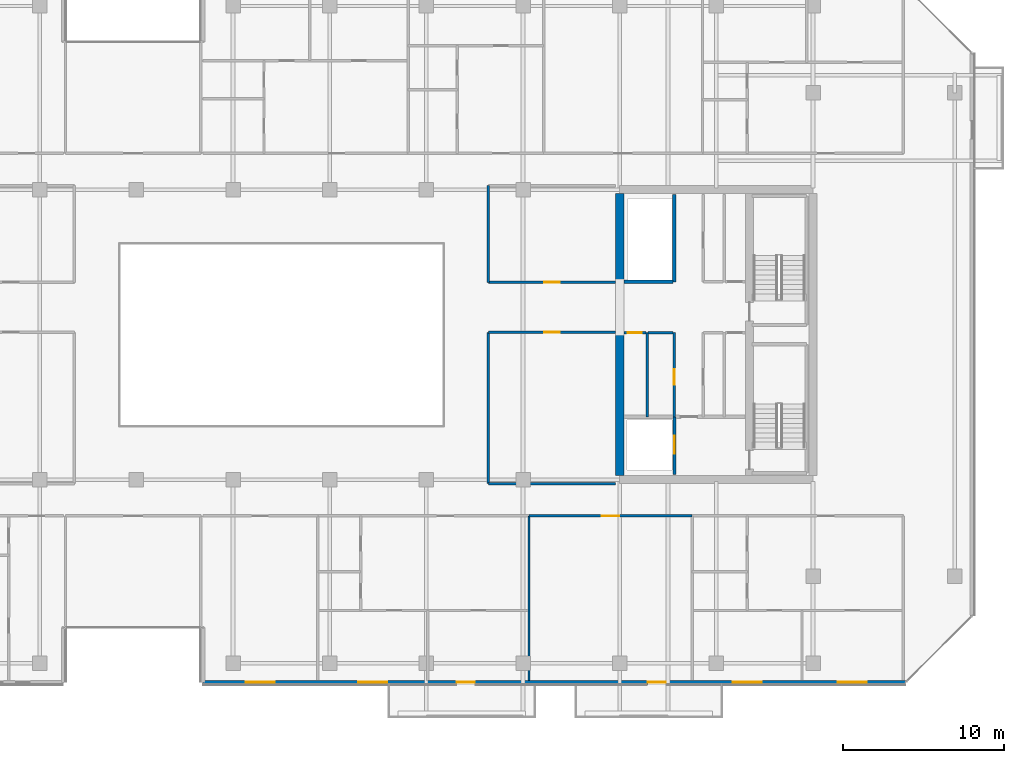
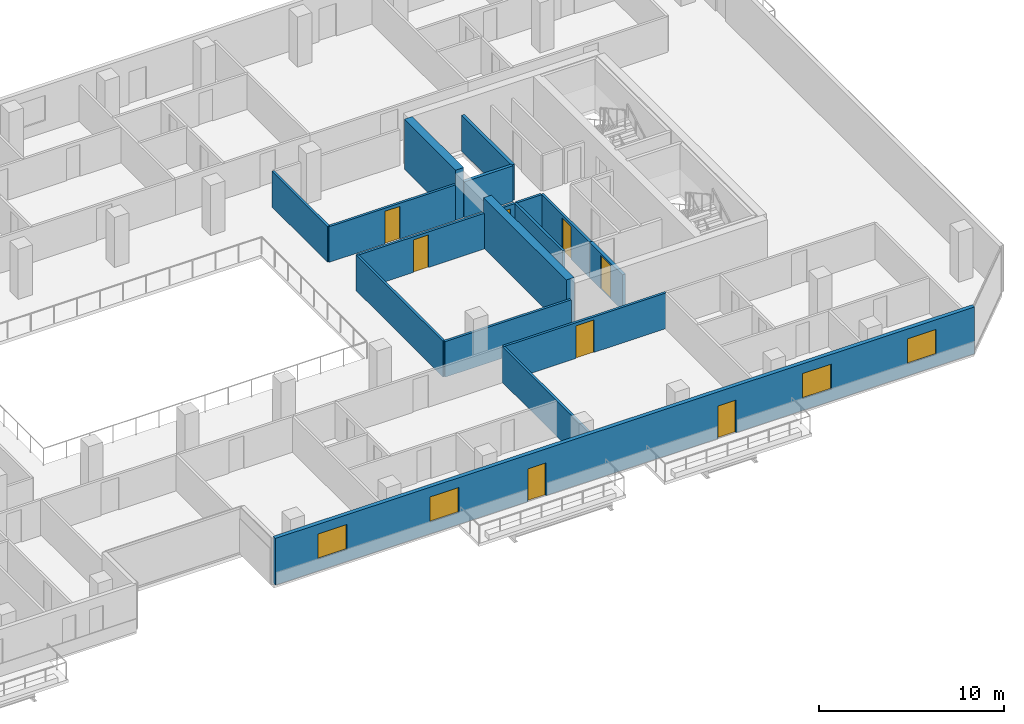
# One storey, part 21 of 29: 17 walls, 8 doors, 4 windows, 12 openings.
"""IFC4 building model written with IfcOpenShell, lengths in metres."""

from ifc_helpers import new_model, si_unit, direction, frame, frame_2d, origin, place, context, subcontext, project, spatial, rectangle, extrude, material, layer, layer_set, type_object, element, fill, save


model = new_model("IFC4")

# Units and contexts
model_context = context("Model", 3, precision=1e-05, world=origin(), true_north=direction((0.0, 1.0)))
body_context = subcontext(model_context, "Body", "Model", "MODEL_VIEW")
ifc_project = project(units=[si_unit("LENGTHUNIT", "METRE"), si_unit("AREAUNIT", "SQUARE_METRE"), si_unit("VOLUMEUNIT", "CUBIC_METRE"), si_unit("PLANEANGLEUNIT", "RADIAN"), si_unit("MASSUNIT", "GRAM", prefix="KILO")], contexts=[model_context])

# Site, building, storey
site_placement = place(None, origin())
site = spatial("IfcSite", under=ifc_project, at=site_placement, CompositionType="ELEMENT")
building_placement = place(site_placement, origin())
building = spatial("IfcBuilding", under=site, at=building_placement, Name="Tanjung Sevakor Pilgrim Tower", CompositionType="ELEMENT")
storey_placement = place(building_placement, frame((0.0, 0.0, 151.800048828125)))
storey = spatial("IfcBuildingStorey", under=building, at=storey_placement, Name="L42", CompositionType="ELEMENT", Elevation=151.800048828125)

# Walls
ifc_material_1 = material(Name="Concrete C60/75", Category="concrete")
ifc_layer_1 = layer(ifc_material_1, 0.5)
ifc_layer_set_1 = layer_set([ifc_layer_1], Name="WALL-CW-500")
wall_type_1 = type_object("IfcWallType", Name="WALL-CW-500", PredefinedType="SHEAR", material=ifc_layer_set_1)
wall_1_placement = place(storey_placement, frame((78.0, 24.85009765625, 0.0), z_axis=(0.0, 0.0, 1.0), x_axis=(0.0, 1.0, 0.0)))
element("IfcWall", 1, at=wall_1_placement, inside=storey, type_object=wall_type_1, Name="L42 E Core Inner Shear Wall South", PredefinedType="SHEAR", context=body_context, shape_type="SweptSolid", body=[
    extrude(rectangle(XDim=8.949951171875, YDim=0.5, at=frame_2d((4.47509765625, 0.0))), origin(), (0.0, 0.0, 1.0), 3.300048828125),
])
wall_2_placement = place(storey_placement, frame((78.0, 36.800048828125, 0.0), z_axis=(0.0, 0.0, 1.0), x_axis=(0.0, 1.0, 0.0)))
element("IfcWall", 2, at=wall_2_placement, inside=storey, type_object=wall_type_1, Name="L42 E Core Inner Shear Wall North", PredefinedType="SHEAR", context=body_context, shape_type="SweptSolid", body=[
    extrude(rectangle(XDim=5.550048828125, YDim=0.5, at=frame_2d((2.77490234375, 0.0))), origin(), (0.0, 0.0, 1.0), 3.300048828125),
])
ifc_material_2 = material(Name="Concrete C40/50", Category="concrete")
ifc_layer_2 = layer(ifc_material_2, 0.14990234375)
ifc_layer_set_2 = layer_set([ifc_layer_2], Name="WT-COMP-150")
wall_type_2 = type_object("IfcWallType", Name="WT-COMP-150", PredefinedType="SOLIDWALL", material=ifc_layer_set_2)
wall_3_placement = place(storey_placement, frame((79.699951171875, 28.5, 0.0), z_axis=(0.0, 0.0, 1.0), x_axis=(0.0, 1.0, 0.0)))
element("IfcWall", 3, at=wall_3_placement, inside=storey, type_object=wall_type_2, Name="L42 Partition IW-L42-023", PredefinedType="SOLIDWALL", context=body_context, shape_type="SweptSolid", body=[
    extrude(rectangle(XDim=5.219970703125, YDim=0.14990234375, at=frame_2d((2.60986328125, 0.0))), origin(), (0.0, 0.0, 1.0), 2.35009765625),
])
wall_4_placement = place(storey_placement, frame((79.760009765625, 33.719970703125, 0.0), z_axis=(0.0, 0.0, 1.0), x_axis=(1.0, 0.0, 0.0)))
element("IfcWall", 4, at=wall_4_placement, inside=storey, type_object=wall_type_2, Name="L42 Partition IW-L42-024", PredefinedType="SOLIDWALL", context=body_context, shape_type="SweptSolid", body=[
    extrude(rectangle(XDim=1.56005859375, YDim=0.14990234375, at=frame_2d((0.780029296875, 0.0))), origin(), (0.0, 0.0, 1.0), 2.35009765625),
])

# Wall, opening, door
wall_5_placement = place(storey_placement, frame((78.27001953125, 33.719970703125, 0.0), z_axis=(0.0, 0.0, 1.0), x_axis=(1.0, 0.0, 0.0)))
wall_5 = element("IfcWall", 5, at=wall_5_placement, inside=storey, type_object=wall_type_2, Name="L42 Partition IW-L42-025", PredefinedType="SOLIDWALL", context=body_context, shape_type="SweptSolid", body=[
    extrude(rectangle(XDim=1.369873046875, YDim=0.14990234375, at=frame_2d((0.68505859375, 0.0))), origin(), (0.0, 0.0, 1.0), 2.35009765625),
])
opening_1_placement = place(wall_5_placement, frame((0.239990234375, 0.0, 0.0)))
opening_1 = element("IfcOpeningElement", 6, at=opening_1_placement, cuts=wall_5, Name="Opening ID-FD3", PredefinedType="OPENING", context=body_context, shape_type="SweptSolid", body=[
    extrude(rectangle(XDim=0.85009765625, YDim=2.10009765625, at=frame_2d((0.425048828125, 1.050048828125))), frame((0.0, 0.0849609375, 0.0), z_axis=(0.0, -1.0, 0.0), x_axis=(1.0, 0.0, 0.0)), (0.0, 0.0, 1.0), 0.169921875),
])
ifc_material_3 = material(Name="Fire-Rated Timber", Category="wood")
door_type_1 = type_object("IfcDoorType", Name="DT-FIRE-850", OperationType="NOTDEFINED", PredefinedType="DOOR", material=ifc_material_3)
door_1_placement = place(opening_1_placement, origin())
door_1 = element("IfcDoor", 7, at=door_1_placement, inside=storey, type_object=door_type_1, Name="L42 Service Store Door", OperationType="SINGLE_SWING_LEFT", OverallHeight=2.10009765625, OverallWidth=0.85009765625, PredefinedType="DOOR", context=body_context, shape_type="SweptSolid", body=[
    extrude(rectangle(XDim=0.85009765625, YDim=2.10009765625, at=frame_2d((0.425048828125, 1.050048828125))), frame((0.0, 0.02490234375, 0.0), z_axis=(0.0, -1.0, 0.0), x_axis=(1.0, 0.0, 0.0)), (0.0, 0.0, 1.0), 0.050048828125),
])
fill(opening_1, door_1)

wall_6_placement = place(storey_placement, frame((81.3798828125, 28.5, 0.0), z_axis=(0.0, 0.0, 1.0), x_axis=(0.0, 1.0, 0.0)))
wall_6 = element("IfcWall", 8, at=wall_6_placement, inside=storey, type_object=wall_type_2, Name="L42 Partition IW-L42-026", PredefinedType="SOLIDWALL", context=body_context, shape_type="SweptSolid", body=[
    extrude(rectangle(XDim=5.219970703125, YDim=0.14990234375, at=frame_2d((2.60986328125, 0.0))), origin(), (0.0, 0.0, 1.0), 2.35009765625),
])
opening_2_placement = place(wall_6_placement, frame((2.0, 0.0, 0.0)))
opening_2 = element("IfcOpeningElement", 9, at=opening_2_placement, cuts=wall_6, Name="Opening ID-FD2", PredefinedType="OPENING", context=body_context, shape_type="SweptSolid", body=[
    extrude(rectangle(XDim=0.949951171875, YDim=2.14990234375, at=frame_2d((0.47509765625, 1.074951171875))), frame((0.0, 0.0849609375, 0.0), z_axis=(0.0, -1.0, 0.0), x_axis=(1.0, 0.0, 0.0)), (0.0, 0.0, 1.0), 0.169921875),
])
ifc_material_4 = material(Name="Fire-Rated Timber", Category="wood")
door_type_2 = type_object("IfcDoorType", Name="DT-FIRE-950", OperationType="NOTDEFINED", PredefinedType="DOOR", material=ifc_material_4)
door_2_placement = place(opening_2_placement, origin())
door_2 = element("IfcDoor", 10, at=door_2_placement, inside=storey, type_object=door_type_2, Name="L42 Accessible WC Door", OperationType="SINGLE_SWING_RIGHT", OverallHeight=2.14990234375, OverallWidth=0.949951171875, PredefinedType="DOOR", context=body_context, shape_type="SweptSolid", body=[
    extrude(rectangle(XDim=0.949951171875, YDim=2.14990234375, at=frame_2d((0.47509765625, 1.074951171875))), frame((0.0, 0.02490234375, 0.0), z_axis=(0.0, -1.0, 0.0), x_axis=(1.0, 0.0, 0.0)), (0.0, 0.0, 1.0), 0.050048828125),
])
fill(opening_2, door_2)

# Wall
wall_7_placement = place(storey_placement, frame((69.85009765625, 24.35009765625, 0.0), z_axis=(0.0, 0.0, 1.0), x_axis=(1.0, 0.0, 0.0)))
element("IfcWall", 11, at=wall_7_placement, inside=storey, type_object=wall_type_2, Name="L42 Partition IW-L42-039", PredefinedType="SOLIDWALL", context=body_context, shape_type="SweptSolid", body=[
    extrude(rectangle(XDim=7.8798828125, YDim=0.14990234375, at=frame_2d((3.93994140625, 0.0))), origin(), (0.0, 0.0, 1.0), 2.35009765625),
])

# Wall, opening, door
wall_8_placement = place(storey_placement, frame((69.85009765625, 33.75, 0.0), z_axis=(0.0, 0.0, 1.0), x_axis=(1.0, 0.0, 0.0)))
wall_8 = element("IfcWall", 12, at=wall_8_placement, inside=storey, type_object=wall_type_2, Name="L42 Partition IW-L42-040", PredefinedType="SOLIDWALL", context=body_context, shape_type="SweptSolid", body=[
    extrude(rectangle(XDim=7.8798828125, YDim=0.14990234375, at=frame_2d((3.93994140625, 0.0))), origin(), (0.0, 0.0, 1.0), 2.35009765625),
])
opening_3_placement = place(wall_8_placement, frame((3.465087890625, 0.0, 0.0)))
opening_3 = element("IfcOpeningElement", 13, at=opening_3_placement, cuts=wall_8, Name="Opening ID-RM1", PredefinedType="OPENING", context=body_context, shape_type="SweptSolid", body=[
    extrude(rectangle(XDim=0.949951171875, YDim=2.14990234375, at=frame_2d((0.47509765625, 1.074951171875))), frame((0.0, 0.0849609375, 0.0), z_axis=(0.0, -1.0, 0.0), x_axis=(1.0, 0.0, 0.0)), (0.0, 0.0, 1.0), 0.169921875),
])
ifc_material_5 = material(Name="Hardwood Timber", Category="wood")
door_type_3 = type_object("IfcDoorType", Name="DT-INT-950", OperationType="NOTDEFINED", PredefinedType="DOOR", material=ifc_material_5)
door_3_placement = place(opening_3_placement, origin())
door_3 = element("IfcDoor", 14, at=door_3_placement, inside=storey, type_object=door_type_3, Name="L42 East Inboard South Door", OperationType="SINGLE_SWING_LEFT", OverallHeight=2.14990234375, OverallWidth=0.949951171875, PredefinedType="DOOR", context=body_context, shape_type="SweptSolid", body=[
    extrude(rectangle(XDim=0.949951171875, YDim=2.14990234375, at=frame_2d((0.47509765625, 1.074951171875))), frame((0.0, 0.02490234375, 0.0), z_axis=(0.0, -1.0, 0.0), x_axis=(1.0, 0.0, 0.0)), (0.0, 0.0, 1.0), 0.050048828125),
])
fill(opening_3, door_3)

# Wall
wall_9_placement = place(storey_placement, frame((69.85009765625, 24.35009765625, 0.0), z_axis=(0.0, 0.0, 1.0), x_axis=(0.0, 1.0, 0.0)))
element("IfcWall", 15, at=wall_9_placement, inside=storey, type_object=wall_type_2, Name="L42 Partition IW-L42-041", PredefinedType="SOLIDWALL", context=body_context, shape_type="SweptSolid", body=[
    extrude(rectangle(XDim=9.39990234375, YDim=0.14990234375, at=frame_2d((4.699951171875, 0.0))), origin(), (0.0, 0.0, 1.0), 2.35009765625),
])

# Wall, opening, door
wall_10_placement = place(storey_placement, frame((69.85009765625, 36.85009765625, 0.0), z_axis=(0.0, 0.0, 1.0), x_axis=(1.0, 0.0, 0.0)))
wall_10 = element("IfcWall", 16, at=wall_10_placement, inside=storey, type_object=wall_type_2, Name="L42 Partition IW-L42-042", PredefinedType="SOLIDWALL", context=body_context, shape_type="SweptSolid", body=[
    extrude(rectangle(XDim=7.8798828125, YDim=0.14990234375, at=frame_2d((3.93994140625, 0.0))), origin(), (0.0, 0.0, 1.0), 2.35009765625),
])
opening_4_placement = place(wall_10_placement, frame((3.465087890625, 0.0, 0.0)))
opening_4 = element("IfcOpeningElement", 17, at=opening_4_placement, cuts=wall_10, Name="Opening ID-RM1", PredefinedType="OPENING", context=body_context, shape_type="SweptSolid", body=[
    extrude(rectangle(XDim=0.949951171875, YDim=2.14990234375, at=frame_2d((0.47509765625, 1.074951171875))), frame((0.0, 0.0849609375, 0.0), z_axis=(0.0, -1.0, 0.0), x_axis=(1.0, 0.0, 0.0)), (0.0, 0.0, 1.0), 0.169921875),
])
door_4_placement = place(opening_4_placement, origin())
door_4 = element("IfcDoor", 18, at=door_4_placement, inside=storey, type_object=door_type_3, Name="L42 East Inboard North Door", OperationType="SINGLE_SWING_RIGHT", OverallHeight=2.14990234375, OverallWidth=0.949951171875, PredefinedType="DOOR", context=body_context, shape_type="SweptSolid", body=[
    extrude(rectangle(XDim=0.949951171875, YDim=2.14990234375, at=frame_2d((0.47509765625, 1.074951171875))), frame((0.0, 0.02490234375, 0.0), z_axis=(0.0, -1.0, 0.0), x_axis=(1.0, 0.0, 0.0)), (0.0, 0.0, 1.0), 0.050048828125),
])
fill(opening_4, door_4)

# Walls
wall_11_placement = place(storey_placement, frame((69.85009765625, 36.85009765625, 0.0), z_axis=(0.0, 0.0, 1.0), x_axis=(0.0, 1.0, 0.0)))
element("IfcWall", 19, at=wall_11_placement, inside=storey, type_object=wall_type_2, Name="L42 Partition IW-L42-044", PredefinedType="SOLIDWALL", context=body_context, shape_type="SweptSolid", body=[
    extrude(rectangle(XDim=6.0, YDim=0.14990234375, at=frame_2d((3.0, 0.0))), origin(), (0.0, 0.0, 1.0), 2.35009765625),
])
wall_12_placement = place(storey_placement, frame((72.37109375, 12.14990234375, 0.0), z_axis=(0.0, 0.0, 1.0), x_axis=(0.0, 1.0, 0.0)))
element("IfcWall", 20, at=wall_12_placement, inside=storey, type_object=wall_type_2, Name="L42 Partition IW-L42-066", PredefinedType="SOLIDWALL", context=body_context, shape_type="SweptSolid", body=[
    extrude(rectangle(XDim=10.2001953125, YDim=0.14990234375, at=frame_2d((5.10009765625, 0.0))), origin(), (0.0, 0.0, 1.0), 2.35009765625),
])

# Wall, opening, door
wall_13_placement = place(storey_placement, frame((72.37109375, 22.35009765625, 0.0), z_axis=(0.0, 0.0, 1.0), x_axis=(1.0, 0.0, 0.0)))
wall_13 = element("IfcWall", 21, at=wall_13_placement, inside=storey, type_object=wall_type_2, Name="L42 Partition IW-L42-073", PredefinedType="SOLIDWALL", context=body_context, shape_type="SweptSolid", body=[
    extrude(rectangle(XDim=10.12548828125, YDim=0.14990234375, at=frame_2d((5.062744140625, 0.0))), origin(), (0.0, 0.0, 1.0), 2.35009765625),
])
opening_5_placement = place(wall_13_placement, frame((4.5126953125, 0.0, 0.0)))
opening_5 = element("IfcOpeningElement", 22, at=opening_5_placement, cuts=wall_13, Name="Opening ID-FD0", PredefinedType="OPENING", context=body_context, shape_type="SweptSolid", body=[
    extrude(rectangle(XDim=1.10009765625, YDim=2.14990234375, at=frame_2d((0.550048828125, 1.074951171875))), frame((0.0, 0.0849609375, 0.0), z_axis=(0.0, -1.0, 0.0), x_axis=(1.0, 0.0, 0.0)), (0.0, 0.0, 1.0), 0.169921875),
])
ifc_material_6 = material(Name="Fire-Rated Steel S355J2", Category="steel")
door_type_4 = type_object("IfcDoorType", Name="DT-FIRE-1100", OperationType="NOTDEFINED", PredefinedType="DOOR", material=ifc_material_6)
door_5_placement = place(opening_5_placement, origin())
door_5 = element("IfcDoor", 23, at=door_5_placement, inside=storey, type_object=door_type_4, Name="Communal Lounge Door", OperationType="SINGLE_SWING_RIGHT", OverallHeight=2.14990234375, OverallWidth=1.10009765625, PredefinedType="DOOR", context=body_context, shape_type="SweptSolid", body=[
    extrude(rectangle(XDim=1.10009765625, YDim=2.14990234375, at=frame_2d((0.550048828125, 1.074951171875))), frame((0.0, 0.02490234375, 0.0), z_axis=(0.0, -1.0, 0.0), x_axis=(1.0, 0.0, 0.0)), (0.0, 0.0, 1.0), 0.050048828125),
])
fill(opening_5, door_5)

# Wall, openings, doors, windows
ifc_material_7 = material(Name="Precast concrete C45/55", Category="concrete")
ifc_layer_3 = layer(ifc_material_7, 0.25)
ifc_layer_set_3 = layer_set([ifc_layer_3], Name="WT-EW-STN3")
wall_type_3 = type_object("IfcWallType", Name="WT-EW-STN3", PredefinedType="SOLIDWALL", material=ifc_layer_set_3)
wall_14_placement = place(storey_placement, frame((52.125, 12.02490234375, 0.0), z_axis=(0.0, 0.0, 1.0), x_axis=(1.0, 0.0, 0.0)))
wall_14 = element("IfcWall", 24, at=wall_14_placement, inside=storey, type_object=wall_type_3, Name="L42 MAIN Exterior Wall 5", PredefinedType="SOLIDWALL", context=body_context, shape_type="SweptSolid", body=[
    extrude(rectangle(XDim=43.623291015625, YDim=0.25, at=frame_2d((21.8115234375, 0.0))), origin(), (0.0, 0.0, 1.0), 3.080078125),
])
opening_6_placement = place(wall_14_placement, frame((15.77490234375, 0.0, 0.0)))
opening_6 = element("IfcOpeningElement", 25, at=opening_6_placement, cuts=wall_14, Name="Opening ED-BAL-1100", PredefinedType="OPENING", context=body_context, shape_type="SweptSolid", body=[
    extrude(rectangle(XDim=1.10009765625, YDim=2.14990234375, at=frame_2d((0.550048828125, 1.074951171875))), frame((0.0, 0.135009765625, 0.0), z_axis=(0.0, -1.0, 0.0), x_axis=(1.0, 0.0, 0.0)), (0.0, 0.0, 1.0), 0.27001953125),
])
opening_7_placement = place(wall_14_placement, frame((27.625, 0.0, 0.0)))
opening_7 = element("IfcOpeningElement", 26, at=opening_7_placement, cuts=wall_14, Name="Opening ED-BAL-1100", PredefinedType="OPENING", context=body_context, shape_type="SweptSolid", body=[
    extrude(rectangle(XDim=1.10009765625, YDim=2.14990234375, at=frame_2d((0.550048828125, 1.074951171875))), frame((0.0, 0.135009765625, 0.0), z_axis=(0.0, -1.0, 0.0), x_axis=(1.0, 0.0, 0.0)), (0.0, 0.0, 1.0), 0.27001953125),
])
opening_8_placement = place(wall_14_placement, frame((2.668701171875, 0.0, 0.780029296875)))
opening_8 = element("IfcOpeningElement", 27, at=opening_8_placement, cuts=wall_14, Name="Opening WN-Z3-1660", PredefinedType="OPENING", context=body_context, shape_type="SweptSolid", body=[
    extrude(rectangle(XDim=1.800048828125, YDim=1.659912109375, at=frame_2d((0.89990234375, 0.830078125))), frame((0.0, 0.135009765625, 0.0), z_axis=(0.0, -1.0, 0.0), x_axis=(1.0, 0.0, 0.0)), (0.0, 0.0, 1.0), 0.27001953125),
])
opening_9_placement = place(wall_14_placement, frame((9.6591796875, 0.0, 0.780029296875)))
opening_9 = element("IfcOpeningElement", 28, at=opening_9_placement, cuts=wall_14, Name="Opening WN-Z3-1660", PredefinedType="OPENING", context=body_context, shape_type="SweptSolid", body=[
    extrude(rectangle(XDim=1.800048828125, YDim=1.659912109375, at=frame_2d((0.89990234375, 0.830078125))), frame((0.0, 0.135009765625, 0.0), z_axis=(0.0, -1.0, 0.0), x_axis=(1.0, 0.0, 0.0)), (0.0, 0.0, 1.0), 0.27001953125),
])
opening_10_placement = place(wall_14_placement, frame((32.888427734375, 0.0, 0.780029296875)))
opening_10 = element("IfcOpeningElement", 29, at=opening_10_placement, cuts=wall_14, Name="Opening WN-Z3-1660", PredefinedType="OPENING", context=body_context, shape_type="SweptSolid", body=[
    extrude(rectangle(XDim=1.800048828125, YDim=1.659912109375, at=frame_2d((0.89990234375, 0.830078125))), frame((0.0, 0.135009765625, 0.0), z_axis=(0.0, -1.0, 0.0), x_axis=(1.0, 0.0, 0.0)), (0.0, 0.0, 1.0), 0.27001953125),
])
opening_11_placement = place(wall_14_placement, frame((39.420166015625, 0.0, 0.780029296875)))
opening_11 = element("IfcOpeningElement", 30, at=opening_11_placement, cuts=wall_14, Name="Opening WN-Z3-1660", PredefinedType="OPENING", context=body_context, shape_type="SweptSolid", body=[
    extrude(rectangle(XDim=1.800048828125, YDim=1.659912109375, at=frame_2d((0.89990234375, 0.830078125))), frame((0.0, 0.135009765625, 0.0), z_axis=(0.0, -1.0, 0.0), x_axis=(1.0, 0.0, 0.0)), (0.0, 0.0, 1.0), 0.27001953125),
])
ifc_material_8 = material(Name="Anodised Aluminium and Laminated Glass", Category="aluminium")
door_type_5 = type_object("IfcDoorType", Name="DTYP-ED-BAL-1100", OperationType="NOTDEFINED", PredefinedType="DOOR", material=ifc_material_8)
door_6_placement = place(opening_6_placement, frame((1.10009765625, 0.0, 0.0), z_axis=(0.0, 0.0, 1.0), x_axis=(-1.0, 0.0, 0.0)))
door_6 = element("IfcDoor", 31, at=door_6_placement, inside=storey, type_object=door_type_5, Name="L42 Balcony Door MAIN-S2", OperationType="SINGLE_SWING_LEFT", OverallHeight=2.14990234375, OverallWidth=1.10009765625, PredefinedType="DOOR", context=body_context, shape_type="SweptSolid", body=[
    extrude(rectangle(XDim=1.10009765625, YDim=2.14990234375, at=frame_2d((0.550048828125, 1.074951171875))), frame((0.0, 0.02490234375, 0.0), z_axis=(0.0, -1.0, 0.0), x_axis=(1.0, 0.0, 0.0)), (0.0, 0.0, 1.0), 0.050048828125),
])
fill(opening_6, door_6)
door_7_placement = place(opening_7_placement, frame((1.10009765625, 0.0, 0.0), z_axis=(0.0, 0.0, 1.0), x_axis=(-1.0, 0.0, 0.0)))
door_7 = element("IfcDoor", 32, at=door_7_placement, inside=storey, type_object=door_type_5, Name="L42 Balcony Door MAIN-S3", OperationType="SINGLE_SWING_RIGHT", OverallHeight=2.14990234375, OverallWidth=1.10009765625, PredefinedType="DOOR", context=body_context, shape_type="SweptSolid", body=[
    extrude(rectangle(XDim=1.10009765625, YDim=2.14990234375, at=frame_2d((0.550048828125, 1.074951171875))), frame((0.0, 0.02490234375, 0.0), z_axis=(0.0, -1.0, 0.0), x_axis=(1.0, 0.0, 0.0)), (0.0, 0.0, 1.0), 0.050048828125),
])
fill(opening_7, door_7)
ifc_material_9 = material(Name="Thermally Broken Aluminium and Low-E Glass", Category="aluminium")
window_type = type_object("IfcWindowType", Name="WTYP-WN-Z3-1660", PartitioningType="DOUBLE_PANEL_VERTICAL", PredefinedType="WINDOW", material=ifc_material_9)
window_1_placement = place(opening_8_placement, origin())
window_1 = element("IfcWindow", 33, at=window_1_placement, inside=storey, type_object=window_type, Name="L42 Facade Window 01", OverallHeight=1.659912109375, OverallWidth=1.800048828125, PartitioningType="SINGLE_PANEL", PredefinedType="WINDOW", context=body_context, shape_type="SweptSolid", body=[
    extrude(rectangle(XDim=1.800048828125, YDim=1.659912109375, at=frame_2d((0.89990234375, 0.830078125))), frame((0.0, 0.030029296875, 0.0), z_axis=(0.0, -1.0, 0.0), x_axis=(1.0, 0.0, 0.0)), (0.0, 0.0, 1.0), 0.06005859375),
])
fill(opening_8, window_1)
window_2_placement = place(opening_9_placement, origin())
window_2 = element("IfcWindow", 34, at=window_2_placement, inside=storey, type_object=window_type, Name="L42 Facade Window 02", OverallHeight=1.659912109375, OverallWidth=1.800048828125, PartitioningType="SINGLE_PANEL", PredefinedType="WINDOW", context=body_context, shape_type="SweptSolid", body=[
    extrude(rectangle(XDim=1.800048828125, YDim=1.659912109375, at=frame_2d((0.89990234375, 0.830078125))), frame((0.0, 0.030029296875, 0.0), z_axis=(0.0, -1.0, 0.0), x_axis=(1.0, 0.0, 0.0)), (0.0, 0.0, 1.0), 0.06005859375),
])
fill(opening_9, window_2)
window_3_placement = place(opening_10_placement, origin())
window_3 = element("IfcWindow", 35, at=window_3_placement, inside=storey, type_object=window_type, Name="L42 Facade Window 03", OverallHeight=1.659912109375, OverallWidth=1.800048828125, PartitioningType="SINGLE_PANEL", PredefinedType="WINDOW", context=body_context, shape_type="SweptSolid", body=[
    extrude(rectangle(XDim=1.800048828125, YDim=1.659912109375, at=frame_2d((0.89990234375, 0.830078125))), frame((0.0, 0.030029296875, 0.0), z_axis=(0.0, -1.0, 0.0), x_axis=(1.0, 0.0, 0.0)), (0.0, 0.0, 1.0), 0.06005859375),
])
fill(opening_10, window_3)
window_4_placement = place(opening_11_placement, origin())
window_4 = element("IfcWindow", 36, at=window_4_placement, inside=storey, type_object=window_type, Name="L42 Facade Window 04", OverallHeight=1.659912109375, OverallWidth=1.800048828125, PartitioningType="SINGLE_PANEL", PredefinedType="WINDOW", context=body_context, shape_type="SweptSolid", body=[
    extrude(rectangle(XDim=1.800048828125, YDim=1.659912109375, at=frame_2d((0.89990234375, 0.830078125))), frame((0.0, 0.030029296875, 0.0), z_axis=(0.0, -1.0, 0.0), x_axis=(1.0, 0.0, 0.0)), (0.0, 0.0, 1.0), 0.06005859375),
])
fill(opening_11, window_4)

# Wall, opening, door
ifc_material_10 = material(Name="Concrete C40/50", Category="concrete")
ifc_layer_4 = layer(ifc_material_10, 0.199951171875)
ifc_layer_set_4 = layer_set([ifc_layer_4], Name="WT-FPRT-200")
wall_type_4 = type_object("IfcWallType", Name="WT-FPRT-200", PredefinedType="SOLIDWALL", material=ifc_layer_set_4)
wall_15_placement = place(storey_placement, frame((81.39990234375, 24.919921875, 0.0), z_axis=(0.0, 0.0, 1.0), x_axis=(0.0, 1.0, 0.0)))
wall_15 = element("IfcWall", 37, at=wall_15_placement, inside=storey, type_object=wall_type_4, Name="L42 Partition IW-L42-017", PredefinedType="SOLIDWALL", context=body_context, shape_type="SweptSolid", body=[
    extrude(rectangle(XDim=3.580078125, YDim=0.199951171875, at=frame_2d((1.7900390625, 0.0))), origin(), (0.0, 0.0, 1.0), 2.35009765625),
])
opening_12_placement = place(wall_15_placement, frame((1.300048828125, 0.0, 0.0)))
opening_12 = element("IfcOpeningElement", 38, at=opening_12_placement, cuts=wall_15, Name="Opening LD-1100", PredefinedType="OPENING", context=body_context, shape_type="SweptSolid", body=[
    extrude(rectangle(XDim=1.10009765625, YDim=2.199951171875, at=frame_2d((0.550048828125, 1.10009765625))), frame((0.0, 0.10986328125, 0.0), z_axis=(0.0, -1.0, 0.0), x_axis=(1.0, 0.0, 0.0)), (0.0, 0.0, 1.0), 0.219970703125),
])
ifc_material_11 = material(Name="Brushed Stainless Steel S355J2", Category="steel")
door_type_6 = type_object("IfcDoorType", Name="DT-LIFT-1100", OperationType="SLIDING_TO_LEFT", PredefinedType="DOOR", material=ifc_material_11)
door_8_placement = place(opening_12_placement, origin())
door_8 = element("IfcDoor", 39, at=door_8_placement, inside=storey, type_object=door_type_6, Name="LD-FL-E", OperationType="SLIDING_TO_LEFT", OverallHeight=2.199951171875, OverallWidth=1.10009765625, PredefinedType="DOOR", context=body_context, shape_type="SweptSolid", body=[
    extrude(rectangle(XDim=1.10009765625, YDim=2.199951171875, at=frame_2d((0.550048828125, 1.10009765625))), frame((0.0, 0.02490234375, 0.0), z_axis=(0.0, -1.0, 0.0), x_axis=(1.0, 0.0, 0.0)), (0.0, 0.0, 1.0), 0.050048828125),
])
fill(opening_12, door_8)

# Walls
wall_16_placement = place(storey_placement, frame((78.27001953125, 36.8798828125, 0.0), z_axis=(0.0, 0.0, 1.0), x_axis=(1.0, 0.0, 0.0)))
element("IfcWall", 40, at=wall_16_placement, inside=storey, type_object=wall_type_4, Name="L42 Partition IW-L42-031", PredefinedType="SOLIDWALL", context=body_context, shape_type="SweptSolid", body=[
    extrude(rectangle(XDim=3.050048828125, YDim=0.199951171875, at=frame_2d((1.52490234375, 0.0))), origin(), (0.0, 0.0, 1.0), 2.35009765625),
])
wall_17_placement = place(storey_placement, frame((81.3798828125, 36.8798828125, 0.0), z_axis=(0.0, 0.0, 1.0), x_axis=(0.0, 1.0, 0.0)))
element("IfcWall", 41, at=wall_17_placement, inside=storey, type_object=wall_type_4, Name="L42 Partition IW-L42-032", PredefinedType="SOLIDWALL", context=body_context, shape_type="SweptSolid", body=[
    extrude(rectangle(XDim=5.420166015625, YDim=0.199951171875, at=frame_2d((2.7099609375, 0.0))), origin(), (0.0, 0.0, 1.0), 2.35009765625),
])

save(model, "model.ifc")
